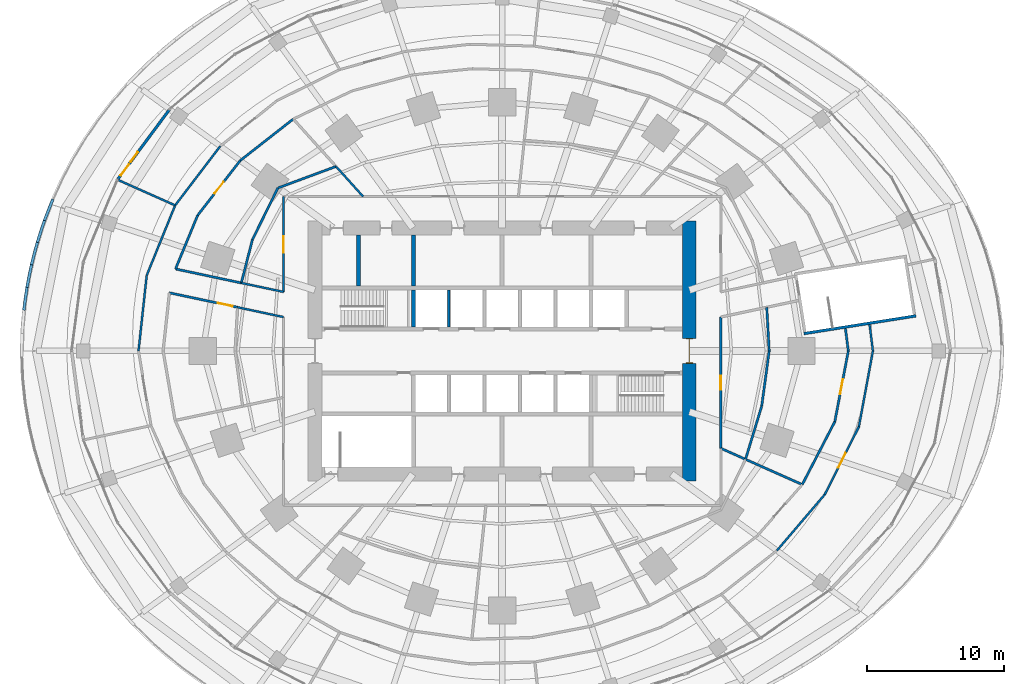
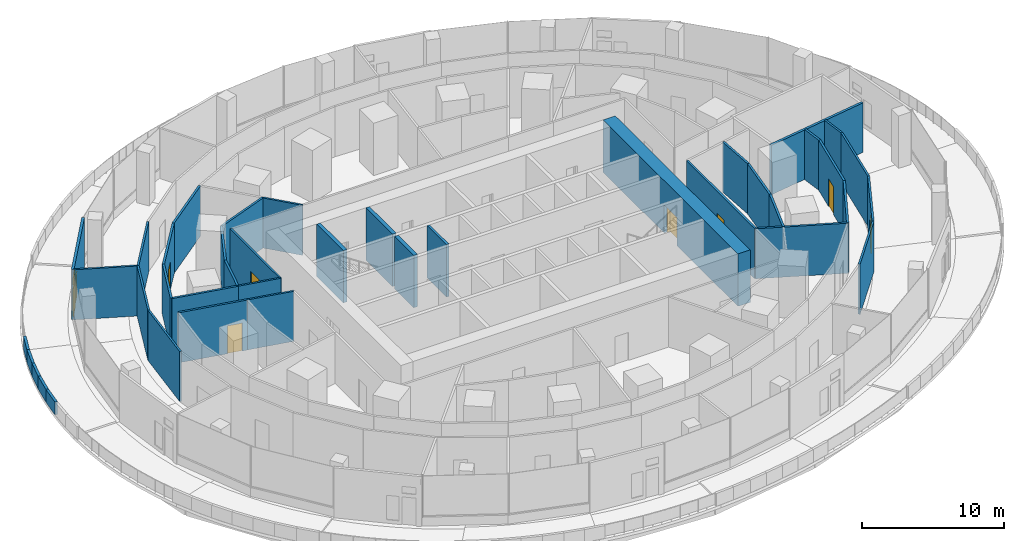
# One storey, part 19 of 26: 40 walls, 8 doors, 2 windows, 10 openings.
"""IFC4 building model written with IfcOpenShell, lengths in metres."""

from ifc_helpers import new_model, si_unit, direction, frame, frame_2d, origin, place, context, subcontext, project, spatial, rectangle, extrude, material, layer, layer_set, type_object, element, fill, save


model = new_model("IFC4")

# Units and contexts
model_context = context("Model", 3, precision=1e-05, world=origin(), true_north=direction((0.0, 1.0)))
body_context = subcontext(model_context, "Body", "Model", "MODEL_VIEW")
ifc_project = project(units=[si_unit("LENGTHUNIT", "METRE"), si_unit("AREAUNIT", "SQUARE_METRE"), si_unit("VOLUMEUNIT", "CUBIC_METRE"), si_unit("PLANEANGLEUNIT", "RADIAN"), si_unit("MASSUNIT", "GRAM", prefix="KILO")], contexts=[model_context])

# Site, building, storey
site_placement = place(None, origin())
site = spatial("IfcSite", under=ifc_project, at=site_placement, CompositionType="ELEMENT")
building_placement = place(site_placement, origin())
building = spatial("IfcBuilding", under=site, at=building_placement, Name="Marramba Exchange Tower", CompositionType="ELEMENT")
storey_placement = place(building_placement, frame((0.0, 0.0, 15.10009765625)))
storey = spatial("IfcBuildingStorey", under=building, at=storey_placement, Name="L03", CompositionType="ELEMENT", Elevation=15.10009765625)

# Walls
ifc_material_1 = material(Name="Plasterboard on staggered double steel studs, acoustic insulation", Category="steel")
ifc_layer_1 = layer(ifc_material_1, 0.169921875)
ifc_layer_set_1 = layer_set([ifc_layer_1], Name="Acoustic partition 170")
wall_type_1 = type_object("IfcWallType", Name="Acoustic partition 170", PredefinedType="PARTITIONING", material=ifc_layer_set_1)
wall_1_placement = place(storey_placement, frame((16.0, -7.123779296875, 0.0), z_axis=(0.0, 0.0, 1.0), x_axis=(0.91355819357, -0.40670803651, 0.0)))
element("IfcWall", 1, at=wall_1_placement, inside=storey, type_object=wall_type_1, Name="Acoustic partition L03 48", PredefinedType="PARTITIONING", context=body_context, shape_type="SweptSolid", body=[
    extrude(rectangle(XDim=6.521484375, YDim=0.169921875, at=frame_2d((3.2607421875, 0.0))), origin(), (0.0, 0.0, 1.0), 4.2998046875),
])
wall_2_placement = place(storey_placement, frame((18.989990234375, -4.03662109375, 0.0), z_axis=(0.0, 0.0, 1.0), x_axis=(-0.290562074662, -0.956856144239, 0.0)))
element("IfcWall", 2, at=wall_2_placement, inside=storey, type_object=wall_type_1, Name="Acoustic partition L03 49", PredefinedType="PARTITIONING", context=body_context, shape_type="SweptSolid", body=[
    extrude(rectangle(XDim=4.067626953125, YDim=0.169921875, at=frame_2d((2.03369140625, 0.0))), origin(), (0.0, 0.0, 1.0), 4.2998046875),
])
wall_3_placement = place(storey_placement, frame((24.339599609375, -5.173583984375, 0.0), z_axis=(0.0, 0.0, 1.0), x_axis=(-0.459607460875, -0.888122166094, 0.0)))
element("IfcWall", 3, at=wall_3_placement, inside=storey, type_object=wall_type_1, Name="Acoustic partition L03 51", PredefinedType="PARTITIONING", context=body_context, shape_type="SweptSolid", body=[
    extrude(rectangle(XDim=5.182373046875, YDim=0.169921875, at=frame_2d((2.59130859375, 0.0))), origin(), (0.0, 0.0, 1.0), 4.2998046875),
])

# Wall, opening, door
wall_4_placement = place(storey_placement, frame((16.0, -7.123779296875, 0.0), z_axis=(0.0, 0.0, 1.0), x_axis=(0.0, 1.0, 0.0)))
wall_4 = element("IfcWall", 4, at=wall_4_placement, inside=storey, type_object=wall_type_1, Name="Acoustic partition L03 52", PredefinedType="PARTITIONING", context=body_context, shape_type="SweptSolid", body=[
    extrude(rectangle(XDim=9.6044921875, YDim=0.169921875, at=frame_2d((4.80224609375, 0.0))), origin(), (0.0, 0.0, 1.0), 4.2998046875),
])
opening_1_placement = place(wall_4_placement, frame((4.302001953125, 0.0, 0.0)))
opening_1 = element("IfcOpeningElement", 5, at=opening_1_placement, cuts=wall_4, Name="Opening D9", PredefinedType="OPENING", context=body_context, shape_type="SweptSolid", body=[
    extrude(rectangle(XDim=1.0, YDim=2.39990234375, at=frame_2d((0.5, 1.199951171875))), frame((0.0, 0.094970703125, 0.0), z_axis=(0.0, -1.0, 0.0), x_axis=(1.0, 0.0, 0.0)), (0.0, 0.0, 1.0), 0.18994140625),
])
ifc_material_2 = material(Name="Timber door", Category="wood")
door_type_1 = type_object("IfcDoorType", Name="Room door 1000x2400", OperationType="SINGLE_SWING_LEFT", PredefinedType="DOOR", material=ifc_material_2)
door_1_placement = place(opening_1_placement, frame((1.0, 0.0, 0.0), z_axis=(0.0, 0.0, 1.0), x_axis=(-1.0, 0.0, 0.0)))
door_1 = element("IfcDoor", 6, at=door_1_placement, inside=storey, type_object=door_type_1, Name="D9 Quiet Room 2 L03", OperationType="SINGLE_SWING_LEFT", OverallHeight=2.39990234375, OverallWidth=1.0, PredefinedType="DOOR", context=body_context, shape_type="SweptSolid", body=[
    extrude(rectangle(XDim=1.0, YDim=2.39990234375, at=frame_2d((0.5, 1.199951171875))), frame((0.0, 0.025146484375, 0.0), z_axis=(0.0, -1.0, 0.0), x_axis=(1.0, 0.0, 0.0)), (0.0, 0.0, 1.0), 0.050048828125),
])
fill(opening_1, door_1)

# Wall
wall_5_placement = place(storey_placement, frame((19.5400390625, 0.0, 0.0), z_axis=(0.0, 0.0, 1.0), x_axis=(-0.135016930919, -0.990843291528, 0.0)))
element("IfcWall", 7, at=wall_5_placement, inside=storey, type_object=wall_type_1, Name="Acoustic partition L03 53", PredefinedType="PARTITIONING", context=body_context, shape_type="SweptSolid", body=[
    extrude(rectangle(XDim=4.073974609375, YDim=0.169921875, at=frame_2d((2.037109375, 0.0))), origin(), (0.0, 0.0, 1.0), 4.2998046875),
])

# Wall, opening, door
wall_6_placement = place(storey_placement, frame((25.327880859375, 0.0, 0.0), z_axis=(0.0, 0.0, 1.0), x_axis=(-0.187631789027, -0.982239437075, 0.0)))
wall_6 = element("IfcWall", 8, at=wall_6_placement, inside=storey, type_object=wall_type_1, Name="Acoustic partition L03 55", PredefinedType="PARTITIONING", context=body_context, shape_type="SweptSolid", body=[
    extrude(rectangle(XDim=5.26708984375, YDim=0.169921875, at=frame_2d((2.633544921875, 0.0))), origin(), (0.0, 0.0, 1.0), 4.2998046875),
])
opening_2_placement = place(wall_6_placement, frame((2.10888671875, 0.0, 0.0)))
opening_2 = element("IfcOpeningElement", 9, at=opening_2_placement, cuts=wall_6, Name="Opening D15", PredefinedType="OPENING", context=body_context, shape_type="SweptSolid", body=[
    extrude(rectangle(XDim=1.10009765625, YDim=2.39990234375, at=frame_2d((0.550048828125, 1.199951171875))), frame((0.0, 0.094970703125, 0.0), z_axis=(0.0, -1.0, 0.0), x_axis=(1.0, 0.0, 0.0)), (0.0, 0.0, 1.0), 0.18994140625),
])
door_type_2 = type_object("IfcDoorType", Name="Glazed meeting room door 1100x2400", OperationType="SINGLE_SWING_LEFT", PredefinedType="DOOR", material=ifc_material_2)
door_2_placement = place(opening_2_placement, origin())
door_2 = element("IfcDoor", 10, at=door_2_placement, inside=storey, type_object=door_type_2, Name="D15 Meeting Room 8 L03", OperationType="SINGLE_SWING_LEFT", OverallHeight=2.39990234375, OverallWidth=1.10009765625, PredefinedType="DOOR", context=body_context, shape_type="SweptSolid", body=[
    extrude(rectangle(XDim=1.10009765625, YDim=2.39990234375, at=frame_2d((0.550048828125, 1.199951171875))), frame((0.0, 0.02490234375, 0.0), z_axis=(0.0, -1.0, 0.0), x_axis=(1.0, 0.0, 0.0)), (0.0, 0.0, 1.0), 0.050048828125),
])
fill(opening_2, door_2)

# Walls
wall_7_placement = place(storey_placement, frame((25.116455078125, 1.6494140625, 0.0), z_axis=(0.0, 0.0, 1.0), x_axis=(0.127142094225, -0.991884513376, 0.0)))
element("IfcWall", 11, at=wall_7_placement, inside=storey, type_object=wall_type_1, Name="Acoustic partition L03 56", PredefinedType="PARTITIONING", context=body_context, shape_type="SweptSolid", body=[
    extrude(rectangle(XDim=1.662841796875, YDim=0.169921875, at=frame_2d((0.83154296875, 0.0))), origin(), (0.0, 0.0, 1.0), 4.2998046875),
])
wall_8_placement = place(storey_placement, frame((19.358154296875, 3.194580078125, 0.0), z_axis=(0.0, 0.0, 1.0), x_axis=(0.056843363857, -0.998383108824, 0.0)))
element("IfcWall", 12, at=wall_8_placement, inside=storey, type_object=wall_type_1, Name="Acoustic partition L03 58", PredefinedType="PARTITIONING", context=body_context, shape_type="SweptSolid", body=[
    extrude(rectangle(XDim=3.19970703125, YDim=0.169921875, at=frame_2d((1.599853515625, 0.0))), origin(), (0.0, 0.0, 1.0), 4.2998046875),
])
wall_9_placement = place(storey_placement, frame((-19.17041015625, 13.927978515625, 0.0), z_axis=(0.0, 0.0, 1.0), x_axis=(0.787485179354, 0.616333588487, 0.0)))
element("IfcWall", 13, at=wall_9_placement, inside=storey, type_object=wall_type_1, Name="Acoustic partition L03 102", PredefinedType="PARTITIONING", context=body_context, shape_type="SweptSolid", body=[
    extrude(rectangle(XDim=4.9384765625, YDim=0.169921875, at=frame_2d((2.46923828125, 0.0))), origin(), (0.0, 0.0, 1.0), 4.2998046875),
])
wall_10_placement = place(storey_placement, frame((-16.41259765625, 11.924560546875, 0.0), z_axis=(0.0, 0.0, 1.0), x_axis=(0.937814922048, 0.34713566798, 0.0)))
element("IfcWall", 14, at=wall_10_placement, inside=storey, type_object=wall_type_1, Name="Acoustic partition L03 103", PredefinedType="PARTITIONING", context=body_context, shape_type="SweptSolid", body=[
    extrude(rectangle(XDim=4.5390625, YDim=0.169921875, at=frame_2d((2.26953125, 0.0))), origin(), (0.0, 0.0, 1.0), 4.2998046875),
])
wall_11_placement = place(storey_placement, frame((-18.27587890625, 8.136962890625, 0.0), z_axis=(0.0, 0.0, 1.0), x_axis=(0.44142043443, 0.897300395669, 0.0)))
element("IfcWall", 15, at=wall_11_placement, inside=storey, type_object=wall_type_1, Name="Acoustic partition L03 104", PredefinedType="PARTITIONING", context=body_context, shape_type="SweptSolid", body=[
    extrude(rectangle(XDim=4.22119140625, YDim=0.169921875, at=frame_2d((2.110595703125, 0.0))), origin(), (0.0, 0.0, 1.0), 4.2998046875),
])

# Wall, opening, door
wall_12_placement = place(storey_placement, frame((-22.283935546875, 9.92138671875, 0.0), z_axis=(0.0, 0.0, 1.0), x_axis=(0.613607456707, 0.789611226537, 0.0)))
wall_12 = element("IfcWall", 16, at=wall_12_placement, inside=storey, type_object=wall_type_1, Name="Acoustic partition L03 106", PredefinedType="PARTITIONING", context=body_context, shape_type="SweptSolid", body=[
    extrude(rectangle(XDim=5.07421875, YDim=0.169921875, at=frame_2d((2.537109375, 0.0))), origin(), (0.0, 0.0, 1.0), 4.2998046875),
])
opening_3_placement = place(wall_12_placement, frame((2.011962890625, 0.0, 0.0)))
opening_3 = element("IfcOpeningElement", 17, at=opening_3_placement, cuts=wall_12, Name="Opening D15", PredefinedType="OPENING", context=body_context, shape_type="SweptSolid", body=[
    extrude(rectangle(XDim=1.10009765625, YDim=2.39990234375, at=frame_2d((0.550048828125, 1.199951171875))), frame((0.0, 0.094970703125, 0.0), z_axis=(0.0, -1.0, 0.0), x_axis=(1.0, 0.0, 0.0)), (0.0, 0.0, 1.0), 0.18994140625),
])
door_3_placement = place(opening_3_placement, origin())
door_3 = element("IfcDoor", 18, at=door_3_placement, inside=storey, type_object=door_type_2, Name="D15 Meeting Room 5 L03", OperationType="SINGLE_SWING_LEFT", OverallHeight=2.39990234375, OverallWidth=1.10009765625, PredefinedType="DOOR", context=body_context, shape_type="SweptSolid", body=[
    extrude(rectangle(XDim=1.10009765625, YDim=2.39990234375, at=frame_2d((0.550048828125, 1.199951171875))), frame((0.0, 0.02490234375, 0.0), z_axis=(0.0, -1.0, 0.0), x_axis=(1.0, 0.0, 0.0)), (0.0, 0.0, 1.0), 0.050048828125),
])
fill(opening_3, door_3)

# Walls
wall_13_placement = place(storey_placement, frame((-19.08349609375, 4.976318359375, 0.0), z_axis=(0.0, 0.0, 1.0), x_axis=(0.247568605717, 0.968870365665, 0.0)))
element("IfcWall", 19, at=wall_13_placement, inside=storey, type_object=wall_type_1, Name="Acoustic partition L03 109", PredefinedType="PARTITIONING", context=body_context, shape_type="SweptSolid", body=[
    extrude(rectangle(XDim=3.26220703125, YDim=0.169921875, at=frame_2d((1.631103515625, 0.0))), origin(), (0.0, 0.0, 1.0), 4.2998046875),
])
wall_14_placement = place(storey_placement, frame((-23.89990234375, 6.000244140625, 0.0), z_axis=(0.0, 0.0, 1.0), x_axis=(0.381027738685, 0.92456360644, 0.0)))
element("IfcWall", 20, at=wall_14_placement, inside=storey, type_object=wall_type_1, Name="Acoustic partition L03 110", PredefinedType="PARTITIONING", context=body_context, shape_type="SweptSolid", body=[
    extrude(rectangle(XDim=4.240966796875, YDim=0.169921875, at=frame_2d((2.12060546875, 0.0))), origin(), (0.0, 0.0, 1.0), 4.2998046875),
])
wall_15_placement = place(storey_placement, frame((-19.08349609375, 4.976318359375, 0.0), z_axis=(0.0, 0.0, 1.0), x_axis=(-0.97814070171, 0.207944145528, 0.0)))
element("IfcWall", 21, at=wall_15_placement, inside=storey, type_object=wall_type_1, Name="Acoustic partition L03 113", PredefinedType="PARTITIONING", context=body_context, shape_type="SweptSolid", body=[
    extrude(rectangle(XDim=4.924072265625, YDim=0.169921875, at=frame_2d((2.4619140625, 0.0))), origin(), (0.0, 0.0, 1.0), 4.2998046875),
])

# Wall, opening, door
wall_16_placement = place(storey_placement, frame((-24.345947265625, 4.2548828125, 0.0), z_axis=(0.0, 0.0, 1.0), x_axis=(0.978143029593, -0.20793319518, 0.0)))
wall_16 = element("IfcWall", 22, at=wall_16_placement, inside=storey, type_object=wall_type_1, Name="Acoustic partition L03 114", PredefinedType="PARTITIONING", context=body_context, shape_type="SweptSolid", body=[
    extrude(rectangle(XDim=5.099365234375, YDim=0.169921875, at=frame_2d((2.5498046875, 0.0))), origin(), (0.0, 0.0, 1.0), 4.2998046875),
])
opening_4_placement = place(wall_16_placement, frame((3.615966796875, 0.0, 0.0)))
opening_4 = element("IfcOpeningElement", 23, at=opening_4_placement, cuts=wall_16, Name="Opening D15", PredefinedType="OPENING", context=body_context, shape_type="SweptSolid", body=[
    extrude(rectangle(XDim=1.10009765625, YDim=2.39990234375, at=frame_2d((0.550048828125, 1.199951171875))), frame((0.0, 0.094970703125, 0.0), z_axis=(0.0, -1.0, 0.0), x_axis=(1.0, 0.0, 0.0)), (0.0, 0.0, 1.0), 0.18994140625),
])
door_4_placement = place(opening_4_placement, frame((1.10009765625, 0.0, 0.0), z_axis=(0.0, 0.0, 1.0), x_axis=(-1.0, 0.0, 0.0)))
door_4 = element("IfcDoor", 24, at=door_4_placement, inside=storey, type_object=door_type_2, Name="D15 Meeting Room 6 L03", OperationType="SINGLE_SWING_LEFT", OverallHeight=2.39990234375, OverallWidth=1.10009765625, PredefinedType="DOOR", context=body_context, shape_type="SweptSolid", body=[
    extrude(rectangle(XDim=1.10009765625, YDim=2.39990234375, at=frame_2d((0.550048828125, 1.199951171875))), frame((0.0, 0.025146484375, 0.0), z_axis=(0.0, -1.0, 0.0), x_axis=(1.0, 0.0, 0.0)), (0.0, 0.0, 1.0), 0.050048828125),
])
fill(opening_4, door_4)

# Wall
ifc_material_3 = material(Name="Concrete N50", Category="concrete")
ifc_layer_2 = layer(ifc_material_3, 0.199951171875)
ifc_layer_set_2 = layer_set([ifc_layer_2], Name="Core shaft wall 200")
wall_type_2 = type_object("IfcWallType", Name="Core shaft wall 200", PredefinedType="SHEAR", material=ifc_layer_set_2)
wall_17_placement = place(storey_placement, frame((-3.89990234375, 1.75, 0.0), z_axis=(0.0, 0.0, 1.0), x_axis=(0.0, 1.0, 0.0)))
element("IfcWall", 25, at=wall_17_placement, inside=storey, type_object=wall_type_2, Name="Core wall SHN1 L03", PredefinedType="SHEAR", context=body_context, shape_type="SweptSolid", body=[
    extrude(rectangle(XDim=2.699951171875, YDim=0.199951171875, at=frame_2d((1.35009765625, 0.0))), origin(), (0.0, 0.0, 1.0), 4.5),
])

# Wall, opening, door
ifc_layer_3 = layer(ifc_material_3, 1.0)
ifc_layer_set_3 = layer_set([ifc_layer_3], Name="Core wall 1000")
wall_type_3 = type_object("IfcWallType", Name="Core wall 1000", PredefinedType="SHEAR", material=ifc_layer_set_3)
wall_18_placement = place(storey_placement, frame((13.699951171875, -9.5, 0.0), z_axis=(0.0, 0.0, 1.0), x_axis=(0.0, 1.0, 0.0)))
wall_18 = element("IfcWall", 26, at=wall_18_placement, inside=storey, type_object=wall_type_3, Name="Core wall E L03", PredefinedType="SHEAR", context=body_context, shape_type="SweptSolid", body=[
    extrude(rectangle(XDim=19.0, YDim=1.0, at=frame_2d((9.5, 0.0))), origin(), (0.0, 0.0, 1.0), 4.5),
])
opening_5_placement = place(wall_18_placement, frame((8.60009765625, 0.0, 0.0)))
opening_5 = element("IfcOpeningElement", 27, at=opening_5_placement, cuts=wall_18, Name="Opening D1", PredefinedType="OPENING", context=body_context, shape_type="SweptSolid", body=[
    extrude(rectangle(XDim=1.800048828125, YDim=2.39990234375, at=frame_2d((0.89990234375, 1.199951171875))), frame((0.0, 0.510009765625, 0.0), z_axis=(0.0, -1.0, 0.0), x_axis=(1.0, 0.0, 0.0)), (0.0, 0.0, 1.0), 1.02001953125),
])
ifc_material_4 = material(Name="Steel-framed door", Category="steel")
door_type_3 = type_object("IfcDoorType", Name="Lobby exit door 1800x2400", OperationType="DOUBLE_DOOR_SINGLE_SWING", PredefinedType="DOOR", material=ifc_material_4)
door_5_placement = place(opening_5_placement, origin())
door_5 = element("IfcDoor", 28, at=door_5_placement, inside=storey, type_object=door_type_3, Name="D1 lobby exit east L03", OperationType="DOUBLE_DOOR_SINGLE_SWING", OverallHeight=2.39990234375, OverallWidth=1.800048828125, PredefinedType="DOOR", context=body_context, shape_type="SweptSolid", body=[
    extrude(rectangle(XDim=1.719970703125, YDim=2.35986328125, at=frame_2d((0.89990234375, 1.179931640625))), frame((0.0, 0.02490234375, 0.0), z_axis=(0.0, -1.0, 0.0), x_axis=(1.0, 0.0, 0.0)), (0.0, 0.0, 1.0), 0.050048828125),
    extrude(rectangle(XDim=0.04, YDim=2.39990234375, at=frame_2d((0.02001953125, 1.199951171875))), frame((0.0, 0.25, 0.0), z_axis=(0.0, -1.0, 0.0), x_axis=(1.0, 0.0, 0.0)), (0.0, 0.0, 1.0), 0.5),
    extrude(rectangle(XDim=0.04, YDim=2.39990234375, at=frame_2d((1.780029296875, 1.199951171875))), frame((0.0, 0.25, 0.0), z_axis=(0.0, -1.0, 0.0), x_axis=(1.0, 0.0, 0.0)), (0.0, 0.0, 1.0), 0.5),
    extrude(rectangle(XDim=1.719970703125, YDim=0.04, at=frame_2d((0.89990234375, 2.3798828125))), frame((0.0, 0.25, 0.0), z_axis=(0.0, -1.0, 0.0), x_axis=(1.0, 0.0, 0.0)), (0.0, 0.0, 1.0), 0.5),
])
fill(opening_5, door_5)

# Walls
ifc_layer_4 = layer(ifc_material_3, 0.300048828125)
ifc_layer_set_4 = layer_set([ifc_layer_4], Name="Core wall 300")
wall_type_4 = type_object("IfcWallType", Name="Core wall 300", PredefinedType="SHEAR", material=ifc_layer_set_4)
wall_19_placement = place(storey_placement, frame((-6.5, 1.75, 0.0), z_axis=(0.0, 0.0, 1.0), x_axis=(0.0, 1.0, 0.0)))
element("IfcWall", 29, at=wall_19_placement, inside=storey, type_object=wall_type_4, Name="Core wall X0Na L03", PredefinedType="SHEAR", context=body_context, shape_type="SweptSolid", body=[
    extrude(rectangle(XDim=2.699951171875, YDim=0.300048828125, at=frame_2d((1.35009765625, 0.0))), origin(), (0.0, 0.0, 1.0), 4.5),
])
for number, where, z_axis, x_axis, name in (
    (30, (-6.5, 4.75, 0.0), (0.0, 0.0, 1.0), (0.0, 1.0, 0.0), "Core wall X0Nb L03"),
    (31, (-10.5, 4.75, 0.0), (0.0, 0.0, 1.0), (0.0, 1.0, 0.0), "Core wall WD L03"),
):
    element("IfcWall", number, at=place(storey_placement, frame(where, z_axis=z_axis, x_axis=x_axis)), inside=storey, type_object=wall_type_4, Name=name, PredefinedType="SHEAR", context=body_context, shape_type="SweptSolid", body=[
        extrude(rectangle(XDim=3.75, YDim=0.300048828125, at=frame_2d((1.875, 0.0))), origin(), (0.0, 0.0, 1.0), 4.5),
    ])

# Wall, openings, door, windows
ifc_material_5 = material(Name="Aluminium-framed bronze cladding on steel studs", Category="steel")
ifc_layer_5 = layer(ifc_material_5, 0.199951171875)
ifc_layer_set_5 = layer_set([ifc_layer_5], Name="Door screen wall 200")
wall_type_5 = type_object("IfcWallType", Name="Door screen wall 200", PredefinedType="SOLIDWALL", material=ifc_layer_set_5)
wall_20_placement = place(storey_placement, frame((-24.332275390625, 17.678466796875, 0.0), z_axis=(0.0, 0.0, 1.0), x_axis=(-0.595729578383, -0.803185077949, 0.0)))
wall_20 = element("IfcWall", 32, at=wall_20_placement, inside=storey, type_object=wall_type_5, Name="Door screen L03 F13", PredefinedType="SOLIDWALL", context=body_context, shape_type="SweptSolid", body=[
    extrude(rectangle(XDim=6.40673828125, YDim=0.199951171875, at=frame_2d((3.203369140625, 0.0))), origin(), (0.0, 0.0, 1.0), 4.2998046875),
])
opening_6_placement = place(wall_20_placement, frame((5.006591796875, 0.0, 0.0)))
opening_6 = element("IfcOpeningElement", 33, at=opening_6_placement, cuts=wall_20, Name="Opening D6", PredefinedType="OPENING", context=body_context, shape_type="SweptSolid", body=[
    extrude(rectangle(XDim=1.0, YDim=2.39990234375, at=frame_2d((0.5, 1.199951171875))), frame((0.0, 0.10986328125, 0.0), z_axis=(0.0, -1.0, 0.0), x_axis=(1.0, 0.0, 0.0)), (0.0, 0.0, 1.0), 0.219970703125),
])
opening_7_placement = place(wall_20_placement, frame((3.90673828125, 0.0, 0.300048828125)))
opening_7 = element("IfcOpeningElement", 34, at=opening_7_placement, cuts=wall_20, Name="Opening W4", PredefinedType="OPENING", context=body_context, shape_type="SweptSolid", body=[
    extrude(rectangle(XDim=0.89990234375, YDim=2.10009765625, at=frame_2d((0.449951171875, 1.050048828125))), frame((0.0, 0.10986328125, 0.0), z_axis=(0.0, -1.0, 0.0), x_axis=(1.0, 0.0, 0.0)), (0.0, 0.0, 1.0), 0.219970703125),
])
opening_8_placement = place(wall_20_placement, frame((5.006591796875, 0.0, 2.699951171875)))
opening_8 = element("IfcOpeningElement", 35, at=opening_8_placement, cuts=wall_20, Name="Opening W5", PredefinedType="OPENING", context=body_context, shape_type="SweptSolid", body=[
    extrude(rectangle(XDim=1.0, YDim=0.60009765625, at=frame_2d((0.5, 0.300048828125))), frame((0.0, 0.10986328125, 0.0), z_axis=(0.0, -1.0, 0.0), x_axis=(1.0, 0.0, 0.0)), (0.0, 0.0, 1.0), 0.219970703125),
])
ifc_material_6 = material(Name="Aluminium-framed glazed door, bronze", Category="aluminium")
door_type_4 = type_object("IfcDoorType", Name="Terrace door 1000x2400", OperationType="SINGLE_SWING_LEFT", PredefinedType="DOOR", material=ifc_material_6)
door_6_placement = place(opening_6_placement, frame((1.0, 0.0, 0.0), z_axis=(0.0, 0.0, 1.0), x_axis=(-1.0, 0.0, 0.0)))
door_6 = element("IfcDoor", 36, at=door_6_placement, inside=storey, type_object=door_type_4, Name="D6 L03", OperationType="SINGLE_SWING_RIGHT", OverallHeight=2.39990234375, OverallWidth=1.0, PredefinedType="DOOR", context=body_context, shape_type="SweptSolid", body=[
    extrude(rectangle(XDim=1.0, YDim=2.39990234375, at=frame_2d((0.5, 1.199951171875))), frame((0.0, 0.025146484375, 0.0), z_axis=(0.0, -1.0, 0.0), x_axis=(1.0, 0.0, 0.0)), (0.0, 0.0, 1.0), 0.050048828125),
])
fill(opening_6, door_6)
ifc_material_7 = material(Name="Aluminium-framed fixed light, bronze, double glazed", Category="aluminium")
window_type_1 = type_object("IfcWindowType", Name="Terrace sidelight 900x2100", PartitioningType="SINGLE_PANEL", PredefinedType="WINDOW", material=ifc_material_7)
window_1_placement = place(opening_7_placement, origin())
window_1 = element("IfcWindow", 37, at=window_1_placement, inside=storey, type_object=window_type_1, Name="W4 L03 F13 left", OverallHeight=2.10009765625, OverallWidth=0.89990234375, PartitioningType="SINGLE_PANEL", PredefinedType="WINDOW", context=body_context, shape_type="SweptSolid", body=[
    extrude(rectangle(XDim=0.89990234375, YDim=2.10009765625, at=frame_2d((0.449951171875, 1.050048828125))), frame((0.0, 0.030029296875, 0.0), z_axis=(0.0, -1.0, 0.0), x_axis=(1.0, 0.0, 0.0)), (0.0, 0.0, 1.0), 0.06005859375),
])
fill(opening_7, window_1)
window_type_2 = type_object("IfcWindowType", Name="Terrace transom light 1000x600", PartitioningType="SINGLE_PANEL", PredefinedType="WINDOW", material=ifc_material_7)
window_2_placement = place(opening_8_placement, origin())
window_2 = element("IfcWindow", 38, at=window_2_placement, inside=storey, type_object=window_type_2, Name="W5 L03 F13 over the door", OverallHeight=0.60009765625, OverallWidth=1.0, PartitioningType="SINGLE_PANEL", PredefinedType="WINDOW", context=body_context, shape_type="SweptSolid", body=[
    extrude(rectangle(XDim=1.0, YDim=0.60009765625, at=frame_2d((0.5, 0.300048828125))), frame((0.0, 0.030029296875, 0.0), z_axis=(0.0, -1.0, 0.0), x_axis=(1.0, 0.0, 0.0)), (0.0, 0.0, 1.0), 0.06005859375),
])
fill(opening_8, window_2)

# Walls
ifc_material_8 = material(Name="Concrete N40", Category="concrete")
ifc_layer_6 = layer(ifc_material_8, 0.199951171875)
ifc_layer_set_6 = layer_set([ifc_layer_6], Name="Roof parapet 200")
wall_type_6 = type_object("IfcWallType", Name="Roof parapet 200", PredefinedType="PARAPET", material=ifc_layer_set_6)
wall_21_placement = place(storey_placement, frame((-32.8779296875, 11.1015625, 0.0), z_axis=(0.0, 0.0, 1.0), x_axis=(-0.365386733402, -0.930855807875, 0.0)))
element("IfcWall", 39, at=wall_21_placement, inside=storey, type_object=wall_type_6, Name="Parapet L03 bay 10", PredefinedType="PARAPET", context=body_context, shape_type="SweptSolid", body=[
    extrude(rectangle(XDim=1.677734375, YDim=0.199951171875, at=frame_2d((0.8388671875, 0.0))), origin(), (0.0, 0.0, 1.0), 1.099853515625),
])
wall_22_placement = place(storey_placement, frame((-33.490966796875, 9.539794921875, 0.0), z_axis=(0.0, 0.0, 1.0), x_axis=(-0.310342888438, -0.950624684929, 0.0)))
element("IfcWall", 40, at=wall_22_placement, inside=storey, type_object=wall_type_6, Name="Parapet L03 bay 10", PredefinedType="PARAPET", context=body_context, shape_type="SweptSolid", body=[
    extrude(rectangle(XDim=1.681884765625, YDim=0.199951171875, at=frame_2d((0.8408203125, 0.0))), origin(), (0.0, 0.0, 1.0), 1.099853515625),
])
wall_23_placement = place(storey_placement, frame((-34.012939453125, 7.94091796875, 0.0), z_axis=(0.0, 0.0, 1.0), x_axis=(-0.253494945268, -0.967336711142, 0.0)))
element("IfcWall", 41, at=wall_23_placement, inside=storey, type_object=wall_type_6, Name="Parapet L03 bay 10", PredefinedType="PARAPET", context=body_context, shape_type="SweptSolid", body=[
    extrude(rectangle(XDim=1.685302734375, YDim=0.199951171875, at=frame_2d((0.8427734375, 0.0))), origin(), (0.0, 0.0, 1.0), 1.099853515625),
])
wall_24_placement = place(storey_placement, frame((-34.440185546875, 6.310546875, 0.0), z_axis=(0.0, 0.0, 1.0), x_axis=(-0.195504311742, -0.98070284189, 0.0)))
element("IfcWall", 42, at=wall_24_placement, inside=storey, type_object=wall_type_6, Name="Parapet L03 bay 10", PredefinedType="PARAPET", context=body_context, shape_type="SweptSolid", body=[
    extrude(rectangle(XDim=1.688232421875, YDim=0.199951171875, at=frame_2d((0.84423828125, 0.0))), origin(), (0.0, 0.0, 1.0), 1.099853515625),
])
wall_25_placement = place(storey_placement, frame((-34.770263671875, 4.65478515625, 0.0), z_axis=(0.0, 0.0, 1.0), x_axis=(-0.136344144592, -0.990661533641, 0.0)))
element("IfcWall", 43, at=wall_25_placement, inside=storey, type_object=wall_type_6, Name="Parapet L03 bay 10", PredefinedType="PARAPET", context=body_context, shape_type="SweptSolid", body=[
    extrude(rectangle(XDim=1.6904296875, YDim=0.199951171875, at=frame_2d((0.84521484375, 0.0))), origin(), (0.0, 0.0, 1.0), 1.099853515625),
])
ifc_layer_7 = layer(ifc_material_8, 0.199951171875)
ifc_layer_set_7 = layer_set([ifc_layer_7], Name="Stair core wall 200 N40")
wall_type_7 = type_object("IfcWallType", Name="Stair core wall 200 N40", PredefinedType="SOLIDWALL", material=ifc_layer_set_7)
wall_26_placement = place(storey_placement, frame((22.0732421875, 1.2685546875, 0.0), z_axis=(0.0, 0.0, 1.0), x_axis=(0.987684853285, 0.156456481465, 0.0)))
element("IfcWall", 44, at=wall_26_placement, inside=storey, type_object=wall_type_7, Name="Stair shaft wall ST4 L03 S", PredefinedType="SOLIDWALL", context=body_context, shape_type="SweptSolid", body=[
    extrude(rectangle(XDim=8.300048828125, YDim=0.199951171875, at=frame_2d((4.14990234375, 0.0))), origin(), (0.0, 0.0, 1.0), 4.25),
])
ifc_material_9 = material(Name="Fire-rated plasterboard on steel studs, acoustic insulation", Category="steel")
ifc_layer_8 = layer(ifc_material_9, 0.14990234375)
ifc_layer_set_8 = layer_set([ifc_layer_8], Name="Tenancy wall 150")
wall_type_8 = type_object("IfcWallType", Name="Tenancy wall 150", PredefinedType="PARTITIONING", material=ifc_layer_set_8)
wall_27_placement = place(storey_placement, frame((20.103515625, -14.60595703125, 0.0), z_axis=(0.0, 0.0, 1.0), x_axis=(0.649319914551, 0.760515383518, 0.0)))
element("IfcWall", 45, at=wall_27_placement, inside=storey, type_object=wall_type_8, Name="Tenancy wall L03 46", PredefinedType="PARTITIONING", context=body_context, shape_type="SweptSolid", body=[
    extrude(rectangle(XDim=5.387939453125, YDim=0.14990234375, at=frame_2d((2.69384765625, 0.0))), origin(), (0.0, 0.0, 1.0), 4.2998046875),
])

# Wall, opening, door
wall_28_placement = place(storey_placement, frame((23.60205078125, -10.50830078125, 0.0), z_axis=(0.0, 0.0, 1.0), x_axis=(0.449813968623, 0.893122272498, 0.0)))
wall_28 = element("IfcWall", 46, at=wall_28_placement, inside=storey, type_object=wall_type_8, Name="Tenancy wall L03 50", PredefinedType="PARTITIONING", context=body_context, shape_type="SweptSolid", body=[
    extrude(rectangle(XDim=5.553955078125, YDim=0.14990234375, at=frame_2d((2.77685546875, 0.0))), origin(), (0.0, 0.0, 1.0), 4.2998046875),
])
opening_9_placement = place(wall_28_placement, frame((2.201904296875, 0.0, 0.0)))
opening_9 = element("IfcOpeningElement", 47, at=opening_9_placement, cuts=wall_28, Name="Opening D13", PredefinedType="OPENING", context=body_context, shape_type="SweptSolid", body=[
    extrude(rectangle(XDim=1.199951171875, YDim=2.39990234375, at=frame_2d((0.60009765625, 1.199951171875))), frame((0.0, 0.0849609375, 0.0), z_axis=(0.0, -1.0, 0.0), x_axis=(1.0, 0.0, 0.0)), (0.0, 0.0, 1.0), 0.169921875),
])
door_type_5 = type_object("IfcDoorType", Name="Tenancy entry door 1200x2400", OperationType="SINGLE_SWING_LEFT", PredefinedType="DOOR", material=ifc_material_4)
door_7_placement = place(opening_9_placement, origin())
door_7 = element("IfcDoor", 48, at=door_7_placement, inside=storey, type_object=door_type_5, Name="D13 Members' Reading Room L03", OperationType="SINGLE_SWING_RIGHT", OverallHeight=2.39990234375, OverallWidth=1.199951171875, PredefinedType="DOOR", context=body_context, shape_type="SweptSolid", body=[
    extrude(rectangle(XDim=1.199951171875, YDim=2.39990234375, at=frame_2d((0.60009765625, 1.199951171875))), frame((0.0, 0.02490234375, 0.0), z_axis=(0.0, -1.0, 0.0), x_axis=(1.0, 0.0, 0.0)), (0.0, 0.0, 1.0), 0.050048828125),
])
fill(opening_9, door_7)

# Walls
wall_29_placement = place(storey_placement, frame((26.100341796875, -5.5478515625, 0.0), z_axis=(0.0, 0.0, 1.0), x_axis=(0.182124897843, 0.98327540475, 0.0)))
element("IfcWall", 49, at=wall_29_placement, inside=storey, type_object=wall_type_8, Name="Tenancy wall L03 54", PredefinedType="PARTITIONING", context=body_context, shape_type="SweptSolid", body=[
    extrude(rectangle(XDim=5.642333984375, YDim=0.14990234375, at=frame_2d((2.8212890625, 0.0))), origin(), (0.0, 0.0, 1.0), 4.2998046875),
])
wall_30_placement = place(storey_placement, frame((27.1279296875, 0.0, 0.0), z_axis=(0.0, 0.0, 1.0), x_axis=(-0.125672470088, 0.992071786849, 0.0)))
element("IfcWall", 50, at=wall_30_placement, inside=storey, type_object=wall_type_8, Name="Tenancy wall L03 57", PredefinedType="PARTITIONING", context=body_context, shape_type="SweptSolid", body=[
    extrude(rectangle(XDim=1.944580078125, YDim=0.14990234375, at=frame_2d((0.97216796875, 0.0))), origin(), (0.0, 0.0, 1.0), 4.2998046875),
])
wall_31_placement = place(storey_placement, frame((-10.174560546875, 11.300048828125, 0.0), z_axis=(0.0, 0.0, 1.0), x_axis=(-0.669156051145, 0.7431219141, 0.0)))
element("IfcWall", 51, at=wall_31_placement, inside=storey, type_object=wall_type_8, Name="Tenancy wall L03 100", PredefinedType="PARTITIONING", context=body_context, shape_type="SweptSolid", body=[
    extrude(rectangle(XDim=2.960693359375, YDim=0.14990234375, at=frame_2d((1.48046875, 0.0))), origin(), (0.0, 0.0, 1.0), 4.2998046875),
])
wall_32_placement = place(storey_placement, frame((-20.626708984375, 14.986083984375, 0.0), z_axis=(0.0, 0.0, 1.0), x_axis=(-0.606135035954, -0.795361753034, 0.0)))
element("IfcWall", 52, at=wall_32_placement, inside=storey, type_object=wall_type_8, Name="Tenancy wall L03 105", PredefinedType="PARTITIONING", context=body_context, shape_type="SweptSolid", body=[
    extrude(rectangle(XDim=5.447265625, YDim=0.14990234375, at=frame_2d((2.7236328125, 0.0))), origin(), (0.0, 0.0, 1.0), 4.2998046875),
])

# Wall, opening, door
wall_33_placement = place(storey_placement, frame((-16.0, 11.300048828125, 0.0), z_axis=(0.0, 0.0, 1.0), x_axis=(0.0, -1.0, 0.0)))
wall_33 = element("IfcWall", 53, at=wall_33_placement, inside=storey, type_object=wall_type_8, Name="Tenancy wall L03 107", PredefinedType="PARTITIONING", context=body_context, shape_type="SweptSolid", body=[
    extrude(rectangle(XDim=6.97900390625, YDim=0.14990234375, at=frame_2d((3.489501953125, 0.0))), origin(), (0.0, 0.0, 1.0), 4.2998046875),
])
opening_10_placement = place(wall_33_placement, frame((2.9150390625, 0.0, 0.0)))
opening_10 = element("IfcOpeningElement", 54, at=opening_10_placement, cuts=wall_33, Name="Opening D13", PredefinedType="OPENING", context=body_context, shape_type="SweptSolid", body=[
    extrude(rectangle(XDim=1.199951171875, YDim=2.39990234375, at=frame_2d((0.60009765625, 1.199951171875))), frame((0.0, 0.0849609375, 0.0), z_axis=(0.0, -1.0, 0.0), x_axis=(1.0, 0.0, 0.0)), (0.0, 0.0, 1.0), 0.169921875),
])
door_8_placement = place(opening_10_placement, frame((1.199951171875, 0.0, 0.0), z_axis=(0.0, 0.0, 1.0), x_axis=(-1.0, 0.0, 0.0)))
door_8 = element("IfcDoor", 55, at=door_8_placement, inside=storey, type_object=door_type_5, Name="D13 First Aid Room L03", OperationType="SINGLE_SWING_LEFT", OverallHeight=2.39990234375, OverallWidth=1.199951171875, PredefinedType="DOOR", context=body_context, shape_type="SweptSolid", body=[
    extrude(rectangle(XDim=1.199951171875, YDim=2.39990234375, at=frame_2d((0.599853515625, 1.199951171875))), frame((0.0, 0.025146484375, 0.0), z_axis=(0.0, -1.0, 0.0), x_axis=(1.0, 0.0, 0.0)), (0.0, 0.0, 1.0), 0.050048828125),
])
fill(opening_10, door_8)

# Walls
wall_34_placement = place(storey_placement, frame((-23.928466796875, 10.653564453125, 0.0), z_axis=(0.0, 0.0, 1.0), x_axis=(-0.913547449471, 0.406732169326, 0.0)))
element("IfcWall", 56, at=wall_34_placement, inside=storey, type_object=wall_type_8, Name="Tenancy wall L03 108", PredefinedType="PARTITIONING", context=body_context, shape_type="SweptSolid", body=[
    extrude(rectangle(XDim=4.539794921875, YDim=0.14990234375, at=frame_2d((2.27001953125, 0.0))), origin(), (0.0, 0.0, 1.0), 4.2998046875),
])
wall_35_placement = place(storey_placement, frame((-23.928466796875, 10.653564453125, 0.0), z_axis=(0.0, 0.0, 1.0), x_axis=(-0.376134336796, -0.92656514109, 0.0)))
element("IfcWall", 57, at=wall_35_placement, inside=storey, type_object=wall_type_8, Name="Tenancy wall L03 111", PredefinedType="PARTITIONING", context=body_context, shape_type="SweptSolid", body=[
    extrude(rectangle(XDim=5.531494140625, YDim=0.14990234375, at=frame_2d((2.765625, 0.0))), origin(), (0.0, 0.0, 1.0), 4.2998046875),
])
wall_36_placement = place(storey_placement, frame((-16.0, 4.321044921875, 0.0), z_axis=(0.0, 0.0, 1.0), x_axis=(-0.978156882567, 0.207868018433, 0.0)))
element("IfcWall", 58, at=wall_36_placement, inside=storey, type_object=wall_type_8, Name="Tenancy wall L03 112", PredefinedType="PARTITIONING", context=body_context, shape_type="SweptSolid", body=[
    extrude(rectangle(XDim=3.15234375, YDim=0.14990234375, at=frame_2d((1.576171875, 0.0))), origin(), (0.0, 0.0, 1.0), 4.2998046875),
])
wall_37_placement = place(storey_placement, frame((-19.358154296875, 3.194580078125, 0.0), z_axis=(0.0, 0.0, 1.0), x_axis=(0.978143486216, -0.207931047161, 0.0)))
element("IfcWall", 59, at=wall_37_placement, inside=storey, type_object=wall_type_8, Name="Tenancy wall L03 115", PredefinedType="PARTITIONING", context=body_context, shape_type="SweptSolid", body=[
    extrude(rectangle(XDim=3.43310546875, YDim=0.14990234375, at=frame_2d((1.716552734375, 0.0))), origin(), (0.0, 0.0, 1.0), 4.2998046875),
])
wall_38_placement = place(storey_placement, frame((-26.009033203125, 5.5283203125, 0.0), z_axis=(0.0, 0.0, 1.0), x_axis=(-0.107698829118, -0.994183565649, 0.0)))
element("IfcWall", 60, at=wall_38_placement, inside=storey, type_object=wall_type_8, Name="Tenancy wall L03 116", PredefinedType="PARTITIONING", context=body_context, shape_type="SweptSolid", body=[
    extrude(rectangle(XDim=5.560546875, YDim=0.14990234375, at=frame_2d((2.7802734375, 0.0))), origin(), (0.0, 0.0, 1.0), 4.2998046875),
])

save(model, "model.ifc")
